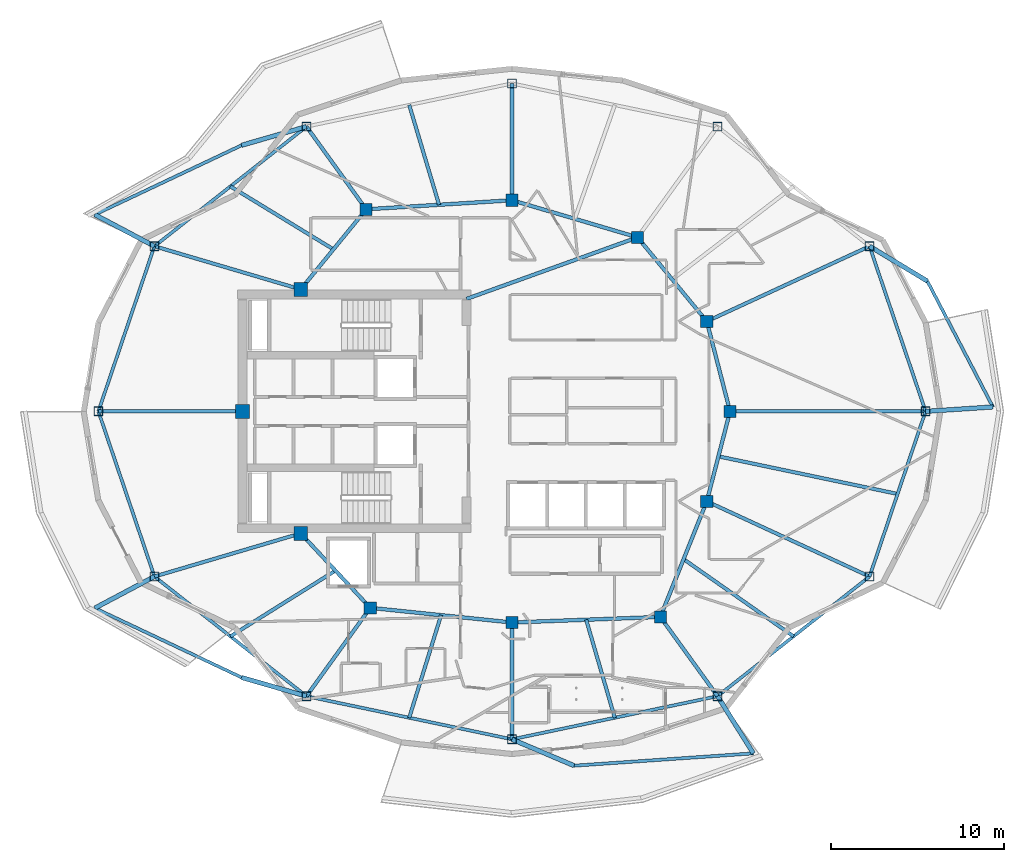
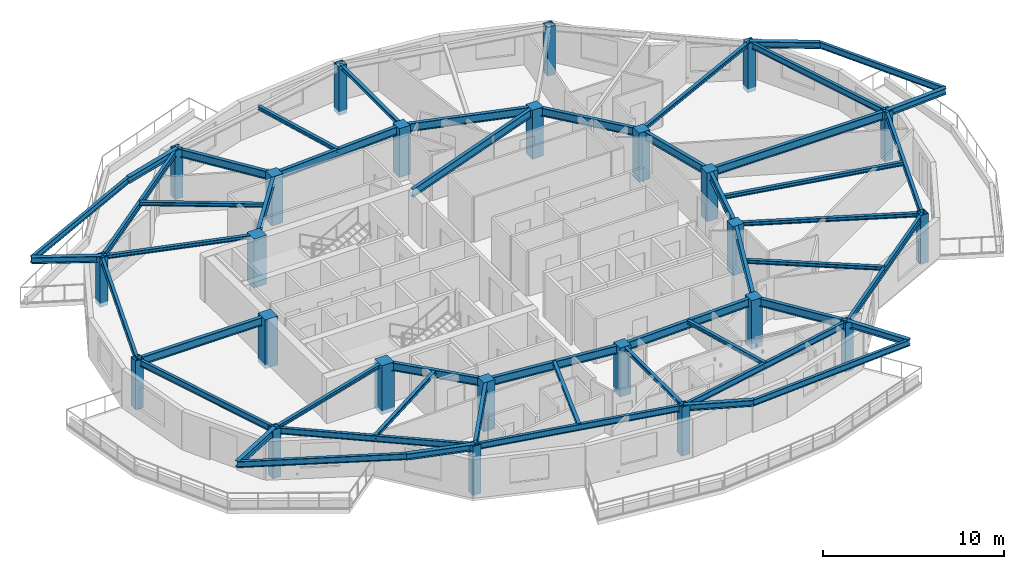
# One storey, part 1 of 18: 50 beams, 24 columns.
"""IFC4 building model written with IfcOpenShell, lengths in metres."""

from ifc_helpers import new_model, si_unit, direction, frame, origin, origin_2d, place, context, subcontext, project, spatial, rectangle, hollow_rectangle, i_section, extrude, material, material_profile, profile_set, type_object, element, save


model = new_model("IFC4")

# Units and contexts
model_context = context("Model", 3, precision=1e-05, world=origin(), true_north=direction((0.0, 1.0)))
body_context = subcontext(model_context, "Body", "Model", "MODEL_VIEW")
ifc_project = project(units=[si_unit("LENGTHUNIT", "METRE"), si_unit("AREAUNIT", "SQUARE_METRE"), si_unit("VOLUMEUNIT", "CUBIC_METRE"), si_unit("PLANEANGLEUNIT", "RADIAN"), si_unit("MASSUNIT", "GRAM", prefix="KILO")], contexts=[model_context])

# Site, building, storey
site_placement = place(None, origin())
site = spatial("IfcSite", under=ifc_project, at=site_placement, CompositionType="ELEMENT")
building_placement = place(site_placement, origin())
building = spatial("IfcBuilding", under=site, at=building_placement, Name="Kolvaren Gate Tower and Convention Centre", CompositionType="ELEMENT")
storey_placement = place(building_placement, frame((0.0, 0.0, 229.39990234375)))
storey = spatial("IfcBuildingStorey", under=building, at=storey_placement, Name="L61", CompositionType="ELEMENT", Elevation=229.39990234375)

# Columns
ifc_material_1 = material(Name="Structural steel ASTM A500 Grade C 345 MPa", Category="steel")
ifc_material_profile_1 = material_profile(ifc_material_1, hollow_rectangle(XDim=0.508056640625, YDim=0.508056640625, WallThickness=0.01904296875, at=origin_2d()), Name="HSS508X508X19.1")
ifc_profile_set_1 = profile_set([ifc_material_profile_1], Name="Structural steel ASTM A500 Grade C 345 MPa")
column_type_1 = type_object("IfcColumnType", Name="STR-COL-HSS508", PredefinedType="COLUMN", material=ifc_profile_set_1)
for number, where, z_axis, x_axis, name in (
    (1, (54.02490234375, 27.0, -0.27001953125), (0.0, 0.0, 1.0), (1.0, 0.0, 0.0), "Tower L61 Perimeter Supercolumn TP-01"),
    (2, (50.787353515625, 36.543701171875, -0.27001953125), (0.0, 0.0, 1.0), (1.0, 0.0, 0.0), "Tower L61 Perimeter Supercolumn TP-02"),
    (3, (42.002685546875, 43.4580078125, -0.27001953125), (0.0, 0.0, 1.0), (1.0, 0.0, 0.0), "Tower L61 Perimeter Supercolumn TP-03"),
    (4, (30.125, 45.949951171875, -0.27001953125), (0.0, 0.0, 1.0), (1.0, 0.0, 0.0), "Tower L61 Perimeter Supercolumn TP-04"),
    (5, (18.247314453125, 43.4580078125, -0.27001953125), (0.0, 0.0, 1.0), (1.0, 0.0, 0.0), "Tower L61 Perimeter Supercolumn TP-05"),
    (6, (9.462646484375, 36.543701171875, -0.27001953125), (0.0, 0.0, 1.0), (1.0, 0.0, 0.0), "Tower L61 Perimeter Supercolumn TP-06"),
    (7, (6.22509765625, 27.0, -0.27001953125), (0.0, 0.0, 1.0), (1.0, 0.0, 0.0), "Tower L61 Perimeter Supercolumn TP-07"),
    (8, (9.462646484375, 17.456298828125, -0.27001953125), (0.0, 0.0, 1.0), (1.0, 0.0, 0.0), "Tower L61 Perimeter Supercolumn TP-08"),
    (9, (18.247314453125, 10.5419921875, -0.27001953125), (0.0, 0.0, 1.0), (1.0, 0.0, 0.0), "Tower L61 Perimeter Supercolumn TP-09"),
    (10, (30.125, 8.050048828125, -0.27001953125), (0.0, 0.0, 1.0), (1.0, 0.0, 0.0), "Tower L61 Perimeter Supercolumn TP-10"),
    (11, (42.002685546875, 10.5419921875, -0.27001953125), (0.0, 0.0, 1.0), (1.0, 0.0, 0.0), "Tower L61 Perimeter Supercolumn TP-11"),
    (12, (50.787353515625, 17.456298828125, -0.27001953125), (0.0, 0.0, 1.0), (1.0, 0.0, 0.0), "Tower L61 Perimeter Supercolumn TP-12"),
):
    element("IfcColumn", number, at=place(storey_placement, frame(where, z_axis=z_axis, x_axis=x_axis)), inside=storey, type_object=column_type_1, Name=name, PredefinedType="COLUMN", context=body_context, shape_type="SweptSolid", body=[
        extrude(hollow_rectangle(XDim=0.508056640625, YDim=0.508056640625, WallThickness=0.01904296875, at=origin_2d()), origin(), (0.0, 0.0, 1.0), 3.300048828125),
    ])
ifc_material_2 = material(Name="Concrete C50/60", Category="concrete")
ifc_material_profile_2 = material_profile(ifc_material_2, rectangle(XDim=0.699951171875, YDim=0.699951171875, at=origin_2d()), Name="RC-COL-700X700")
ifc_profile_set_2 = profile_set([ifc_material_profile_2], Name="Concrete C50/60")
column_type_2 = type_object("IfcColumnType", Name="STR-COL-RC700", PredefinedType="COLUMN", material=ifc_profile_set_2)
for number, where, z_axis, x_axis, name in (
    (13, (42.72509765625, 27.0, -0.27001953125), (0.0, 0.0, 1.0), (1.0, 0.0, 0.0), "Tower L61 Interior Column TI-01"),
    (14, (41.382080078125, 32.199462890625, -0.27001953125), (0.0, 0.0, 1.0), (1.0, 0.0, 0.0), "Tower L61 Interior Column TI-02"),
    (15, (37.381591796875, 37.054931640625, -0.27001953125), (0.0, 0.0, 1.0), (1.0, 0.0, 0.0), "Tower L61 Interior Column TI-03"),
    (16, (30.125, 39.199951171875, -0.27001953125), (0.0, 0.0, 1.0), (1.0, 0.0, 0.0), "Tower L61 Interior Column TI-04"),
    (17, (21.697998046875, 38.6767578125, -0.27001953125), (0.0, 0.0, 1.0), (1.0, 0.0, 0.0), "Tower L61 Interior Column TI-05"),
    (18, (21.93212890625, 15.647705078125, -0.27001953125), (0.0, 0.0, 1.0), (1.0, 0.0, 0.0), "Tower L61 Interior Column TI-06"),
    (19, (30.125, 14.800048828125, -0.27001953125), (0.0, 0.0, 1.0), (1.0, 0.0, 0.0), "Tower L61 Interior Column TI-07"),
    (20, (38.6982421875, 15.12060546875, -0.27001953125), (0.0, 0.0, 1.0), (1.0, 0.0, 0.0), "Tower L61 Interior Column TI-08"),
    (21, (41.382080078125, 21.800537109375, -0.27001953125), (0.0, 0.0, 1.0), (1.0, 0.0, 0.0), "Tower L61 Interior Column TI-09"),
):
    element("IfcColumn", number, at=place(storey_placement, frame(where, z_axis=z_axis, x_axis=x_axis)), inside=storey, type_object=column_type_2, Name=name, PredefinedType="COLUMN", context=body_context, shape_type="SweptSolid", body=[
        extrude(rectangle(XDim=0.699951171875, YDim=0.699951171875, at=origin_2d()), origin(), (0.0, 0.0, 1.0), 3.300048828125),
    ])
ifc_material_3 = material(Name="Concrete C60/75", Category="concrete")
ifc_material_profile_3 = material_profile(ifc_material_3, rectangle(XDim=0.800048828125, YDim=0.800048828125, at=origin_2d()), Name="RC-COL-800X800")
ifc_profile_set_3 = profile_set([ifc_material_profile_3], Name="Concrete C60/75")
column_type_3 = type_object("IfcColumnType", Name="STR-PIL-RC800", PredefinedType="PILASTER", material=ifc_profile_set_3)
for number, where, z_axis, x_axis, name in (
    (22, (17.9140625, 34.050048828125, -0.27001953125), (0.0, 0.0, 1.0), (1.0, 0.0, 0.0), "Tower L61 Core Boundary Pilaster TC-05"),
    (23, (14.550048828125, 27.0, -0.27001953125), (0.0, 0.0, 1.0), (1.0, 0.0, 0.0), "Tower L61 Core Boundary Pilaster TC-06"),
    (24, (17.9140625, 19.949951171875, -0.27001953125), (0.0, 0.0, 1.0), (1.0, 0.0, 0.0), "Tower L61 Core Boundary Pilaster TC-07"),
):
    element("IfcColumn", number, at=place(storey_placement, frame(where, z_axis=z_axis, x_axis=x_axis)), inside=storey, type_object=column_type_3, Name=name, PredefinedType="PILASTER", context=body_context, shape_type="SweptSolid", body=[
        extrude(rectangle(XDim=0.800048828125, YDim=0.800048828125, at=origin_2d()), origin(), (0.0, 0.0, 1.0), 3.300048828125),
    ])

# Beams
ifc_material_4 = material(Name="Structural steel ASTM A992 Grade 345 MPa", Category="steel")
ifc_material_profile_4 = material_profile(ifc_material_4, i_section(OverallWidth=0.260009765625, OverallDepth=0.419921875, WebThickness=0.013427734375, FlangeThickness=0.0224609375, at=origin_2d()), Name="W410X132")
ifc_profile_set_4 = profile_set([ifc_material_profile_4], Name="Structural steel ASTM A992 Grade 345 MPa")
beam_type_1 = type_object("IfcBeamType", Name="STR-BM-W410X132", PredefinedType="BEAM", material=ifc_profile_set_4)
for number, where, z_axis, x_axis, name in (
    (25, (18.247314453125, 43.4580078125, 2.820556640625), (-0.960795374216, -0.277258451421, 0.0), (0.277258451421, -0.960795374216, 0.0), "Tower L62 Planted Balcony Outrigger Cantilever BC-1A"),
    (26, (9.462646484375, 36.543701171875, 2.820556640625), (-0.88362340532, 0.468198331448, 0.0), (-0.468198331448, -0.88362340532, 0.0), "Tower L62 Planted Balcony Outrigger Cantilever BC-1B"),
    (27, (9.462646484375, 17.456298828125, 2.820556640625), (-0.88362340532, -0.468198331448, 0.0), (0.468198331448, -0.88362340532, 0.0), "Tower L62 Planted Balcony Outrigger Cantilever BC-2A"),
    (28, (18.247314453125, 10.5419921875, 2.820556640625), (-0.960795374216, 0.277258451421, 0.0), (-0.277258451421, -0.960795374216, 0.0), "Tower L62 Planted Balcony Outrigger Cantilever BC-2B"),
    (29, (30.125, 8.050048828125, 2.820556640625), (0.920415965842, -0.390940468386, 0.0), (0.390940468386, 0.920415965842, 0.0), "Tower L62 Planted Balcony Outrigger Cantilever BC-3A"),
    (30, (42.002685546875, 10.5419921875, 2.820556640625), (0.531225067521, -0.847230740494, 0.0), (0.847230740494, 0.531225067521, 0.0), "Tower L62 Planted Balcony Outrigger Cantilever BC-3B"),
):
    element("IfcBeam", number, at=place(storey_placement, frame(where, z_axis=z_axis, x_axis=x_axis)), inside=storey, type_object=beam_type_1, Name=name, PredefinedType="BEAM", context=body_context, shape_type="SweptSolid", body=[
        extrude(i_section(OverallWidth=0.260009765625, OverallDepth=0.419921875, WebThickness=0.013427734375, FlangeThickness=0.0224609375, at=origin_2d()), origin(), (0.0, 0.0, 1.0), 3.89990234375),
    ])
for number, where, z_axis, x_axis, name in (
    (31, (54.02490234375, 27.0, 2.820556640625), (0.997825138942, 0.065916554034, 0.0), (-0.065916554034, 0.997825138942, 0.0), "Tower L62 Planted Balcony Outrigger Cantilever BC-4A"),
    (32, (50.787353515625, 36.543701171875, 2.820556640625), (0.856097890351, -0.516813701575, 0.0), (0.516813701575, 0.856097890351, 0.0), "Tower L62 Planted Balcony Outrigger Cantilever BC-4B"),
):
    element("IfcBeam", number, at=place(storey_placement, frame(where, z_axis=z_axis, x_axis=x_axis)), inside=storey, type_object=beam_type_1, Name=name, PredefinedType="BEAM", context=body_context, shape_type="SweptSolid", body=[
        extrude(i_section(OverallWidth=0.260009765625, OverallDepth=0.419921875, WebThickness=0.013427734375, FlangeThickness=0.0224609375, at=origin_2d()), origin(), (0.0, 0.0, 1.0), 3.900146484375),
    ])
ifc_material_profile_5 = material_profile(ifc_material_4, i_section(OverallWidth=0.2119140625, OverallDepth=0.5439453125, WebThickness=0.01318359375, FlangeThickness=0.021240234375, at=origin_2d()), Name="W530X123")
ifc_profile_set_5 = profile_set([ifc_material_profile_5], Name="Structural steel ASTM A992 Grade 345 MPa")
beam_type_2 = type_object("IfcBeamType", Name="STR-BM-W530X123", PredefinedType="BEAM", material=ifc_profile_set_5)
beam_1_placement = place(storey_placement, frame((42.72509765625, 27.0, 2.758056640625), z_axis=(-0.250091133936, -0.968222301296, 0.0), x_axis=(0.968222301296, -0.250091133936, 0.0)))
element("IfcBeam", 33, at=beam_1_placement, inside=storey, type_object=beam_type_2, Name="Tower L61 Primary Ring Girder G-01", PredefinedType="BEAM", context=body_context, shape_type="SweptSolid", body=[
    extrude(i_section(OverallWidth=0.2119140625, OverallDepth=0.5439453125, WebThickness=0.01318359375, FlangeThickness=0.021240234375, at=origin_2d()), origin(), (0.0, 0.0, 1.0), 5.3701171875),
])
beam_2_placement = place(storey_placement, frame((41.382080078125, 32.199462890625, 2.758056640625), z_axis=(-0.635884066011, 0.771784590798, 0.0), x_axis=(-0.771784590798, -0.635884066011, 0.0)))
element("IfcBeam", 34, at=beam_2_placement, inside=storey, type_object=beam_type_2, Name="Tower L61 Primary Ring Girder G-02", PredefinedType="BEAM", context=body_context, shape_type="SweptSolid", body=[
    extrude(i_section(OverallWidth=0.2119140625, OverallDepth=0.5439453125, WebThickness=0.01318359375, FlangeThickness=0.021240234375, at=origin_2d()), origin(), (0.0, 0.0, 1.0), 6.291259765625),
])
beam_3_placement = place(storey_placement, frame((37.381591796875, 37.054931640625, 2.758056640625), z_axis=(-0.958980837827, 0.283470902706, 0.0), x_axis=(-0.283470902706, -0.958980837827, 0.0)))
element("IfcBeam", 35, at=beam_3_placement, inside=storey, type_object=beam_type_2, Name="Tower L61 Primary Ring Girder G-03", PredefinedType="BEAM", context=body_context, shape_type="SweptSolid", body=[
    extrude(i_section(OverallWidth=0.2119140625, OverallDepth=0.5439453125, WebThickness=0.01318359375, FlangeThickness=0.021240234375, at=origin_2d()), origin(), (0.0, 0.0, 1.0), 7.56689453125),
])
beam_4_placement = place(storey_placement, frame((30.125, 39.199951171875, 2.758056640625), z_axis=(-0.998078258568, -0.06196603726, 0.0), x_axis=(0.06196603726, -0.998078258568, 0.0)))
element("IfcBeam", 36, at=beam_4_placement, inside=storey, type_object=beam_type_2, Name="Tower L61 Primary Ring Girder G-04", PredefinedType="BEAM", context=body_context, shape_type="SweptSolid", body=[
    extrude(i_section(OverallWidth=0.2119140625, OverallDepth=0.5439453125, WebThickness=0.01318359375, FlangeThickness=0.021240234375, at=origin_2d()), origin(), (0.0, 0.0, 1.0), 8.443115234375),
])
beam_5_placement = place(storey_placement, frame((21.697998046875, 38.6767578125, 2.758056640625), z_axis=(-0.633082074904, -0.774084676528, 0.0), x_axis=(0.774084676528, -0.633082074904, 0.0)))
element("IfcBeam", 37, at=beam_5_placement, inside=storey, type_object=beam_type_2, Name="Tower L61 Primary Ring Girder G-05", PredefinedType="BEAM", context=body_context, shape_type="SweptSolid", body=[
    extrude(i_section(OverallWidth=0.2119140625, OverallDepth=0.5439453125, WebThickness=0.01318359375, FlangeThickness=0.021240234375, at=origin_2d()), origin(), (0.0, 0.0, 1.0), 5.97705078125),
])
beam_6_placement = place(storey_placement, frame((17.9140625, 19.949951171875, 2.758056640625), z_axis=(0.682557592987, -0.730831808459, 0.0), x_axis=(0.730831808459, 0.682557592987, 0.0)))
element("IfcBeam", 38, at=beam_6_placement, inside=storey, type_object=beam_type_2, Name="Tower L61 Primary Ring Girder G-06", PredefinedType="BEAM", context=body_context, shape_type="SweptSolid", body=[
    extrude(i_section(OverallWidth=0.2119140625, OverallDepth=0.5439453125, WebThickness=0.01318359375, FlangeThickness=0.021240234375, at=origin_2d()), origin(), (0.0, 0.0, 1.0), 5.88671875),
])
beam_7_placement = place(storey_placement, frame((21.93212890625, 15.647705078125, 2.758056640625), z_axis=(0.994690329115, -0.102913308978, 0.0), x_axis=(0.102913308978, 0.994690329115, 0.0)))
element("IfcBeam", 39, at=beam_7_placement, inside=storey, type_object=beam_type_2, Name="Tower L61 Primary Ring Girder G-07", PredefinedType="BEAM", context=body_context, shape_type="SweptSolid", body=[
    extrude(i_section(OverallWidth=0.2119140625, OverallDepth=0.5439453125, WebThickness=0.01318359375, FlangeThickness=0.021240234375, at=origin_2d()), origin(), (0.0, 0.0, 1.0), 8.236572265625),
])
beam_8_placement = place(storey_placement, frame((30.125, 14.800048828125, 2.758056640625), z_axis=(0.999301712453, 0.037364254142, 0.0), x_axis=(-0.037364254142, 0.999301712453, 0.0)))
element("IfcBeam", 40, at=beam_8_placement, inside=storey, type_object=beam_type_2, Name="Tower L61 Primary Ring Girder G-08", PredefinedType="BEAM", context=body_context, shape_type="SweptSolid", body=[
    extrude(i_section(OverallWidth=0.2119140625, OverallDepth=0.5439453125, WebThickness=0.01318359375, FlangeThickness=0.021240234375, at=origin_2d()), origin(), (0.0, 0.0, 1.0), 8.579345703125),
])
beam_9_placement = place(storey_placement, frame((38.6982421875, 15.12060546875, 2.758056640625), z_axis=(0.372811100169, 0.927907260232, 0.0), x_axis=(-0.927907260232, 0.372811100169, 0.0)))
element("IfcBeam", 41, at=beam_9_placement, inside=storey, type_object=beam_type_2, Name="Tower L61 Primary Ring Girder G-09", PredefinedType="BEAM", context=body_context, shape_type="SweptSolid", body=[
    extrude(i_section(OverallWidth=0.2119140625, OverallDepth=0.5439453125, WebThickness=0.01318359375, FlangeThickness=0.021240234375, at=origin_2d()), origin(), (0.0, 0.0, 1.0), 7.198974609375),
])
beam_10_placement = place(storey_placement, frame((27.5, 33.5, 2.758056640625), z_axis=(0.940961479908, 0.338513653093, 0.0), x_axis=(-0.338513653093, 0.940961479908, 0.0)))
element("IfcBeam", 42, at=beam_10_placement, inside=storey, type_object=beam_type_2, Name="Tower L61 Primary Ring Girder G-10", PredefinedType="BEAM", context=body_context, shape_type="SweptSolid", body=[
    extrude(i_section(OverallWidth=0.2119140625, OverallDepth=0.5439453125, WebThickness=0.01318359375, FlangeThickness=0.021240234375, at=origin_2d()), origin(), (0.0, 0.0, 1.0), 10.501708984375),
])
beam_11_placement = place(storey_placement, frame((42.72509765625, 27.0, 2.758056640625), z_axis=(-0.250091133936, 0.968222301296, 0.0), x_axis=(-0.968222301296, -0.250091133936, 0.0)))
element("IfcBeam", 43, at=beam_11_placement, inside=storey, type_object=beam_type_2, Name="Tower L61 Primary Ring Girder G-12", PredefinedType="BEAM", context=body_context, shape_type="SweptSolid", body=[
    extrude(i_section(OverallWidth=0.2119140625, OverallDepth=0.5439453125, WebThickness=0.01318359375, FlangeThickness=0.021240234375, at=origin_2d()), origin(), (0.0, 0.0, 1.0), 5.3701171875),
])
beam_12_placement = place(storey_placement, frame((42.72509765625, 27.0, 2.758056640625), z_axis=(1.0, 0.0, 0.0), x_axis=(0.0, 1.0, 0.0)))
element("IfcBeam", 44, at=beam_12_placement, inside=storey, type_object=beam_type_2, Name="Tower L61 Radial Floor Girder RB-01", PredefinedType="BEAM", context=body_context, shape_type="SweptSolid", body=[
    extrude(i_section(OverallWidth=0.2119140625, OverallDepth=0.5439453125, WebThickness=0.01318359375, FlangeThickness=0.021240234375, at=origin_2d()), origin(), (0.0, 0.0, 1.0), 11.2998046875),
])
beam_13_placement = place(storey_placement, frame((21.697998046875, 38.6767578125, 2.758056640625), z_axis=(-0.585218406802, 0.810875709552, 0.0), x_axis=(-0.810875709552, -0.585218406802, 0.0)))
element("IfcBeam", 45, at=beam_13_placement, inside=storey, type_object=beam_type_2, Name="Tower L61 Radial Floor Girder RB-05", PredefinedType="BEAM", context=body_context, shape_type="SweptSolid", body=[
    extrude(i_section(OverallWidth=0.2119140625, OverallDepth=0.5439453125, WebThickness=0.01318359375, FlangeThickness=0.021240234375, at=origin_2d()), origin(), (0.0, 0.0, 1.0), 5.896484375),
])
beam_14_placement = place(storey_placement, frame((14.550048828125, 27.0, 2.758056640625), z_axis=(-1.0, 0.0, 0.0), x_axis=(0.0, -1.0, 0.0)))
element("IfcBeam", 46, at=beam_14_placement, inside=storey, type_object=beam_type_2, Name="Tower L61 Radial Floor Girder RB-07", PredefinedType="BEAM", context=body_context, shape_type="SweptSolid", body=[
    extrude(i_section(OverallWidth=0.2119140625, OverallDepth=0.5439453125, WebThickness=0.01318359375, FlangeThickness=0.021240234375, at=origin_2d()), origin(), (0.0, 0.0, 1.0), 8.324951171875),
])
beam_15_placement = place(storey_placement, frame((21.93212890625, 15.647705078125, 2.758056640625), z_axis=(-0.585214462319, -0.810878556316, 0.0), x_axis=(0.810878556316, -0.585214462319, 0.0)))
element("IfcBeam", 47, at=beam_15_placement, inside=storey, type_object=beam_type_2, Name="Tower L61 Radial Floor Girder RB-09", PredefinedType="BEAM", context=body_context, shape_type="SweptSolid", body=[
    extrude(i_section(OverallWidth=0.2119140625, OverallDepth=0.5439453125, WebThickness=0.01318359375, FlangeThickness=0.021240234375, at=origin_2d()), origin(), (0.0, 0.0, 1.0), 6.296630859375),
])
beam_16_placement = place(storey_placement, frame((38.6982421875, 15.12060546875, 2.758056640625), z_axis=(0.585218993275, -0.810875286286, 0.0), x_axis=(0.810875286286, 0.585218993275, 0.0)))
element("IfcBeam", 48, at=beam_16_placement, inside=storey, type_object=beam_type_2, Name="Tower L61 Radial Floor Girder RB-11", PredefinedType="BEAM", context=body_context, shape_type="SweptSolid", body=[
    extrude(i_section(OverallWidth=0.2119140625, OverallDepth=0.5439453125, WebThickness=0.01318359375, FlangeThickness=0.021240234375, at=origin_2d()), origin(), (0.0, 0.0, 1.0), 5.646484375),
])
ifc_material_profile_6 = material_profile(ifc_material_4, i_section(OverallWidth=0.202880859375, OverallDepth=0.251953125, WebThickness=0.008056640625, FlangeThickness=0.013427734375, at=origin_2d()), Name="W250X58")
ifc_profile_set_6 = profile_set([ifc_material_profile_6], Name="Structural steel ASTM A992 Grade 345 MPa")
beam_type_3 = type_object("IfcBeamType", Name="STR-JS-W250X58", PredefinedType="JOIST", material=ifc_profile_set_6)
beam_17_placement = place(storey_placement, frame((41.382080078125, 32.199462890625, 2.904052734375), z_axis=(0.907836575129, 0.419324162025, 0.0), x_axis=(-0.419324162025, 0.907836575129, 0.0)))
element("IfcBeam", 49, at=beam_17_placement, inside=storey, type_object=beam_type_3, Name="Tower L61 Radial Floor Girder RB-02", PredefinedType="JOIST", context=body_context, shape_type="SweptSolid", body=[
    extrude(i_section(OverallWidth=0.202880859375, OverallDepth=0.251953125, WebThickness=0.008056640625, FlangeThickness=0.013427734375, at=origin_2d()), origin(), (0.0, 0.0, 1.0), 10.360107421875),
])
beam_18_placement = place(storey_placement, frame((30.125, 39.199951171875, 2.904052734375), z_axis=(0.0, 1.0, 0.0), x_axis=(-1.0, 0.0, 0.0)))
element("IfcBeam", 50, at=beam_18_placement, inside=storey, type_object=beam_type_3, Name="Tower L61 Radial Floor Girder RB-04", PredefinedType="JOIST", context=body_context, shape_type="SweptSolid", body=[
    extrude(i_section(OverallWidth=0.202880859375, OverallDepth=0.251953125, WebThickness=0.008056640625, FlangeThickness=0.013427734375, at=origin_2d()), origin(), (0.0, 0.0, 1.0), 6.75),
])
for number, where, z_axis, x_axis, name in (
    (51, (17.9140625, 34.050048828125, 2.904052734375), (-0.959121165581, 0.28299574155, 0.0), (-0.28299574155, -0.959121165581, 0.0), "Tower L61 Radial Floor Girder RB-06"),
    (52, (17.9140625, 19.949951171875, 2.904052734375), (-0.959121165581, -0.28299574155, 0.0), (0.28299574155, -0.959121165581, 0.0), "Tower L61 Radial Floor Girder RB-08"),
):
    element("IfcBeam", number, at=place(storey_placement, frame(where, z_axis=z_axis, x_axis=x_axis)), inside=storey, type_object=beam_type_3, Name=name, PredefinedType="JOIST", context=body_context, shape_type="SweptSolid", body=[
        extrude(i_section(OverallWidth=0.202880859375, OverallDepth=0.251953125, WebThickness=0.008056640625, FlangeThickness=0.013427734375, at=origin_2d()), origin(), (0.0, 0.0, 1.0), 8.8115234375),
    ])
beam_19_placement = place(storey_placement, frame((30.125, 14.800048828125, 2.904052734375), z_axis=(0.0, -1.0, 0.0), x_axis=(1.0, 0.0, 0.0)))
element("IfcBeam", 53, at=beam_19_placement, inside=storey, type_object=beam_type_3, Name="Tower L61 Radial Floor Girder RB-10", PredefinedType="JOIST", context=body_context, shape_type="SweptSolid", body=[
    extrude(i_section(OverallWidth=0.202880859375, OverallDepth=0.251953125, WebThickness=0.008056640625, FlangeThickness=0.013427734375, at=origin_2d()), origin(), (0.0, 0.0, 1.0), 6.75),
])
beam_20_placement = place(storey_placement, frame((41.382080078125, 21.800537109375, 2.904052734375), z_axis=(0.907836575129, -0.419324162025, 0.0), x_axis=(0.419324162025, 0.907836575129, 0.0)))
element("IfcBeam", 54, at=beam_20_placement, inside=storey, type_object=beam_type_3, Name="Tower L61 Radial Floor Girder RB-12", PredefinedType="JOIST", context=body_context, shape_type="SweptSolid", body=[
    extrude(i_section(OverallWidth=0.202880859375, OverallDepth=0.251953125, WebThickness=0.008056640625, FlangeThickness=0.013427734375, at=origin_2d()), origin(), (0.0, 0.0, 1.0), 10.360107421875),
])
beam_21_placement = place(storey_placement, frame((25.91162109375, 38.938232421875, 2.904052734375), z_axis=(-0.286674209033, 0.958028130002, 0.0), x_axis=(-0.958028130002, -0.286674209033, 0.0)))
element("IfcBeam", 55, at=beam_21_placement, inside=storey, type_object=beam_type_3, Name="Tower L61 Secondary Composite Floor Joist J-04.1", PredefinedType="JOIST", context=body_context, shape_type="SweptSolid", body=[
    extrude(i_section(OverallWidth=0.202880859375, OverallDepth=0.251953125, WebThickness=0.008056640625, FlangeThickness=0.013427734375, at=origin_2d()), origin(), (0.0, 0.0, 1.0), 6.0185546875),
])
beam_22_placement = place(storey_placement, frame((19.805908203125, 36.36328125, 2.904052734375), z_axis=(-0.853232509014, 0.52153071392, 0.0), x_axis=(-0.52153071392, -0.853232509014, 0.0)))
element("IfcBeam", 56, at=beam_22_placement, inside=storey, type_object=beam_type_3, Name="Tower L61 Secondary Composite Floor Joist J-05.1", PredefinedType="JOIST", context=body_context, shape_type="SweptSolid", body=[
    extrude(i_section(OverallWidth=0.202880859375, OverallDepth=0.251953125, WebThickness=0.008056640625, FlangeThickness=0.013427734375, at=origin_2d()), origin(), (0.0, 0.0, 1.0), 6.974609375),
])
beam_23_placement = place(storey_placement, frame((19.923095703125, 17.798828125, 2.904052734375), z_axis=(-0.847559309278, -0.530700685186, 0.0), x_axis=(0.530700685186, -0.847559309278, 0.0)))
element("IfcBeam", 57, at=beam_23_placement, inside=storey, type_object=beam_type_3, Name="Tower L61 Secondary Composite Floor Joist J-08.1", PredefinedType="JOIST", context=body_context, shape_type="SweptSolid", body=[
    extrude(i_section(OverallWidth=0.202880859375, OverallDepth=0.251953125, WebThickness=0.008056640625, FlangeThickness=0.013427734375, at=origin_2d()), origin(), (0.0, 0.0, 1.0), 7.159423828125),
])
beam_24_placement = place(storey_placement, frame((26.028564453125, 15.223876953125, 2.904052734375), z_axis=(-0.296776485487, -0.954946971126, 0.0), x_axis=(0.954946971126, -0.296776485487, 0.0)))
element("IfcBeam", 58, at=beam_24_placement, inside=storey, type_object=beam_type_3, Name="Tower L61 Secondary Composite Floor Joist J-09.1", PredefinedType="JOIST", context=body_context, shape_type="SweptSolid", body=[
    extrude(i_section(OverallWidth=0.202880859375, OverallDepth=0.251953125, WebThickness=0.008056640625, FlangeThickness=0.013427734375, at=origin_2d()), origin(), (0.0, 0.0, 1.0), 6.207763671875),
])
beam_25_placement = place(storey_placement, frame((34.41162109375, 14.960205078125, 2.904052734375), z_axis=(0.280001588896, -0.959999536571, 0.0), x_axis=(0.959999536571, 0.280001588896, 0.0)))
element("IfcBeam", 59, at=beam_25_placement, inside=storey, type_object=beam_type_3, Name="Tower L61 Secondary Composite Floor Joist J-10.1", PredefinedType="JOIST", context=body_context, shape_type="SweptSolid", body=[
    extrude(i_section(OverallWidth=0.202880859375, OverallDepth=0.251953125, WebThickness=0.008056640625, FlangeThickness=0.013427734375, at=origin_2d()), origin(), (0.0, 0.0, 1.0), 5.900390625),
])
beam_26_placement = place(storey_placement, frame((40.040283203125, 18.46044921875, 2.904052734375), z_axis=(0.81845266589, -0.574573958423, 0.0), x_axis=(0.574573958423, 0.81845266589, 0.0)))
element("IfcBeam", 60, at=beam_26_placement, inside=storey, type_object=beam_type_3, Name="Tower L61 Secondary Composite Floor Joist J-11.1", PredefinedType="JOIST", context=body_context, shape_type="SweptSolid", body=[
    extrude(i_section(OverallWidth=0.202880859375, OverallDepth=0.251953125, WebThickness=0.008056640625, FlangeThickness=0.013427734375, at=origin_2d()), origin(), (0.0, 0.0, 1.0), 7.764404296875),
])
beam_27_placement = place(storey_placement, frame((42.0537109375, 24.400146484375, 2.904052734375), z_axis=(0.978694513543, -0.205321818519, 0.0), x_axis=(0.205321818519, 0.978694513543, 0.0)))
element("IfcBeam", 61, at=beam_27_placement, inside=storey, type_object=beam_type_3, Name="Tower L61 Secondary Composite Floor Joist J-12.1", PredefinedType="JOIST", context=body_context, shape_type="SweptSolid", body=[
    extrude(i_section(OverallWidth=0.202880859375, OverallDepth=0.251953125, WebThickness=0.008056640625, FlangeThickness=0.013427734375, at=origin_2d()), origin(), (0.0, 0.0, 1.0), 10.577880859375),
])
ifc_material_profile_7 = material_profile(ifc_material_4, i_section(OverallWidth=0.180908203125, OverallDepth=0.4169921875, WebThickness=0.010986328125, FlangeThickness=0.018310546875, at=origin_2d()), Name="W410X85")
ifc_profile_set_7 = profile_set([ifc_material_profile_7], Name="Structural steel ASTM A992 Grade 345 MPa")
beam_type_4 = type_object("IfcBeamType", Name="STR-SP-W410X85", PredefinedType="SPANDREL", material=ifc_profile_set_7)
beam_28_placement = place(storey_placement, frame((54.02490234375, 27.0, 2.821533203125), z_axis=(-0.321252507379, 0.946993572577, 0.0), x_axis=(-0.946993572577, -0.321252507379, 0.0)))
element("IfcBeam", 62, at=beam_28_placement, inside=storey, type_object=beam_type_4, Name="Tower L61 Perimeter Spandrel Beam SP-01", PredefinedType="SPANDREL", context=body_context, shape_type="SweptSolid", body=[
    extrude(i_section(OverallWidth=0.180908203125, OverallDepth=0.4169921875, WebThickness=0.010986328125, FlangeThickness=0.018310546875, at=origin_2d()), origin(), (0.0, 0.0, 1.0), 10.077880859375),
])
beam_29_placement = place(storey_placement, frame((18.247314453125, 43.4580078125, 2.821533203125), z_axis=(-0.78579365551, -0.618488747643, 0.0), x_axis=(0.618488747643, -0.78579365551, 0.0)))
element("IfcBeam", 63, at=beam_29_placement, inside=storey, type_object=beam_type_4, Name="Tower L61 Perimeter Spandrel Beam SP-05", PredefinedType="SPANDREL", context=body_context, shape_type="SweptSolid", body=[
    extrude(i_section(OverallWidth=0.180908203125, OverallDepth=0.4169921875, WebThickness=0.010986328125, FlangeThickness=0.018310546875, at=origin_2d()), origin(), (0.0, 0.0, 1.0), 11.179443359375),
])
for number, where, z_axis, x_axis, name in (
    (64, (9.462646484375, 36.543701171875, 2.821533203125), (-0.321252507379, -0.946993572577, 0.0), (0.946993572577, -0.321252507379, 0.0), "Tower L61 Perimeter Spandrel Beam SP-06"),
    (65, (6.22509765625, 27.0, 2.821533203125), (0.321252507379, -0.946993572577, 0.0), (0.946993572577, 0.321252507379, 0.0), "Tower L61 Perimeter Spandrel Beam SP-07"),
):
    element("IfcBeam", number, at=place(storey_placement, frame(where, z_axis=z_axis, x_axis=x_axis)), inside=storey, type_object=beam_type_4, Name=name, PredefinedType="SPANDREL", context=body_context, shape_type="SweptSolid", body=[
        extrude(i_section(OverallWidth=0.180908203125, OverallDepth=0.4169921875, WebThickness=0.010986328125, FlangeThickness=0.018310546875, at=origin_2d()), origin(), (0.0, 0.0, 1.0), 10.077880859375),
    ])
beam_30_placement = place(storey_placement, frame((9.462646484375, 17.456298828125, 2.821533203125), z_axis=(0.78579365551, -0.618488747643, 0.0), x_axis=(0.618488747643, 0.78579365551, 0.0)))
element("IfcBeam", 66, at=beam_30_placement, inside=storey, type_object=beam_type_4, Name="Tower L61 Perimeter Spandrel Beam SP-08", PredefinedType="SPANDREL", context=body_context, shape_type="SweptSolid", body=[
    extrude(i_section(OverallWidth=0.180908203125, OverallDepth=0.4169921875, WebThickness=0.010986328125, FlangeThickness=0.018310546875, at=origin_2d()), origin(), (0.0, 0.0, 1.0), 11.179443359375),
])
for number, where, z_axis, x_axis, name in (
    (67, (18.247314453125, 10.5419921875, 2.821533203125), (0.978692765917, -0.205330148645, 0.0), (0.205330148645, 0.978692765917, 0.0), "Tower L61 Perimeter Spandrel Beam SP-09"),
    (68, (30.125, 8.050048828125, 2.821533203125), (0.978692765917, 0.205330148645, 0.0), (-0.205330148645, 0.978692765917, 0.0), "Tower L61 Perimeter Spandrel Beam SP-10"),
):
    element("IfcBeam", number, at=place(storey_placement, frame(where, z_axis=z_axis, x_axis=x_axis)), inside=storey, type_object=beam_type_4, Name=name, PredefinedType="SPANDREL", context=body_context, shape_type="SweptSolid", body=[
        extrude(i_section(OverallWidth=0.180908203125, OverallDepth=0.4169921875, WebThickness=0.010986328125, FlangeThickness=0.018310546875, at=origin_2d()), origin(), (0.0, 0.0, 1.0), 12.13623046875),
    ])
beam_31_placement = place(storey_placement, frame((42.002685546875, 10.5419921875, 2.821533203125), z_axis=(0.78579365551, 0.618488747643, 0.0), x_axis=(-0.618488747643, 0.78579365551, 0.0)))
element("IfcBeam", 69, at=beam_31_placement, inside=storey, type_object=beam_type_4, Name="Tower L61 Perimeter Spandrel Beam SP-11", PredefinedType="SPANDREL", context=body_context, shape_type="SweptSolid", body=[
    extrude(i_section(OverallWidth=0.180908203125, OverallDepth=0.4169921875, WebThickness=0.010986328125, FlangeThickness=0.018310546875, at=origin_2d()), origin(), (0.0, 0.0, 1.0), 11.179443359375),
])
beam_32_placement = place(storey_placement, frame((50.787353515625, 17.456298828125, 2.821533203125), z_axis=(0.321252507379, 0.946993572577, 0.0), x_axis=(-0.946993572577, 0.321252507379, 0.0)))
element("IfcBeam", 70, at=beam_32_placement, inside=storey, type_object=beam_type_4, Name="Tower L61 Perimeter Spandrel Beam SP-12", PredefinedType="SPANDREL", context=body_context, shape_type="SweptSolid", body=[
    extrude(i_section(OverallWidth=0.180908203125, OverallDepth=0.4169921875, WebThickness=0.010986328125, FlangeThickness=0.018310546875, at=origin_2d()), origin(), (0.0, 0.0, 1.0), 10.077880859375),
])
for number, where, z_axis, x_axis, name in (
    (71, (14.500244140625, 42.376708984375, 2.822021484375), (-0.90421096583, -0.427086091173, 0.0), (0.427086091173, -0.90421096583, 0.0), "Tower L62 Planted Balcony Header Tie Beam BT-1"),
    (72, (6.0166015625, 15.63037109375, 2.822021484375), (0.90421096583, -0.427086091173, 0.0), (0.427086091173, 0.90421096583, 0.0), "Tower L62 Planted Balcony Header Tie Beam BT-2"),
):
    element("IfcBeam", number, at=place(storey_placement, frame(where, z_axis=z_axis, x_axis=x_axis)), inside=storey, type_object=beam_type_4, Name=name, PredefinedType="SPANDREL", context=body_context, shape_type="SweptSolid", body=[
        extrude(i_section(OverallWidth=0.180908203125, OverallDepth=0.4169921875, WebThickness=0.010986328125, FlangeThickness=0.018310546875, at=origin_2d()), origin(), (0.0, 0.0, 1.0), 9.38232421875),
    ])
beam_33_placement = place(storey_placement, frame((33.714599609375, 6.525390625, 2.822021484375), z_axis=(0.997643997623, 0.068603600534, 0.0), x_axis=(-0.068603600534, 0.997643997623, 0.0)))
element("IfcBeam", 73, at=beam_33_placement, inside=storey, type_object=beam_type_4, Name="Tower L62 Planted Balcony Header Tie Beam BT-3", PredefinedType="SPANDREL", context=body_context, shape_type="SweptSolid", body=[
    extrude(i_section(OverallWidth=0.180908203125, OverallDepth=0.4169921875, WebThickness=0.010986328125, FlangeThickness=0.018310546875, at=origin_2d()), origin(), (0.0, 0.0, 1.0), 10.38427734375),
])
beam_34_placement = place(storey_placement, frame((57.91650390625, 27.257080078125, 2.822021484375), z_axis=(-0.462251551917, 0.886748838595, 0.0), x_axis=(-0.886748838595, -0.462251551917, 0.0)))
element("IfcBeam", 74, at=beam_34_placement, inside=storey, type_object=beam_type_4, Name="Tower L62 Planted Balcony Header Tie Beam BT-4", PredefinedType="SPANDREL", context=body_context, shape_type="SweptSolid", body=[
    extrude(i_section(OverallWidth=0.180908203125, OverallDepth=0.4169921875, WebThickness=0.010986328125, FlangeThickness=0.018310546875, at=origin_2d()), origin(), (0.0, 0.0, 1.0), 8.19970703125),
])

save(model, "model.ifc")
